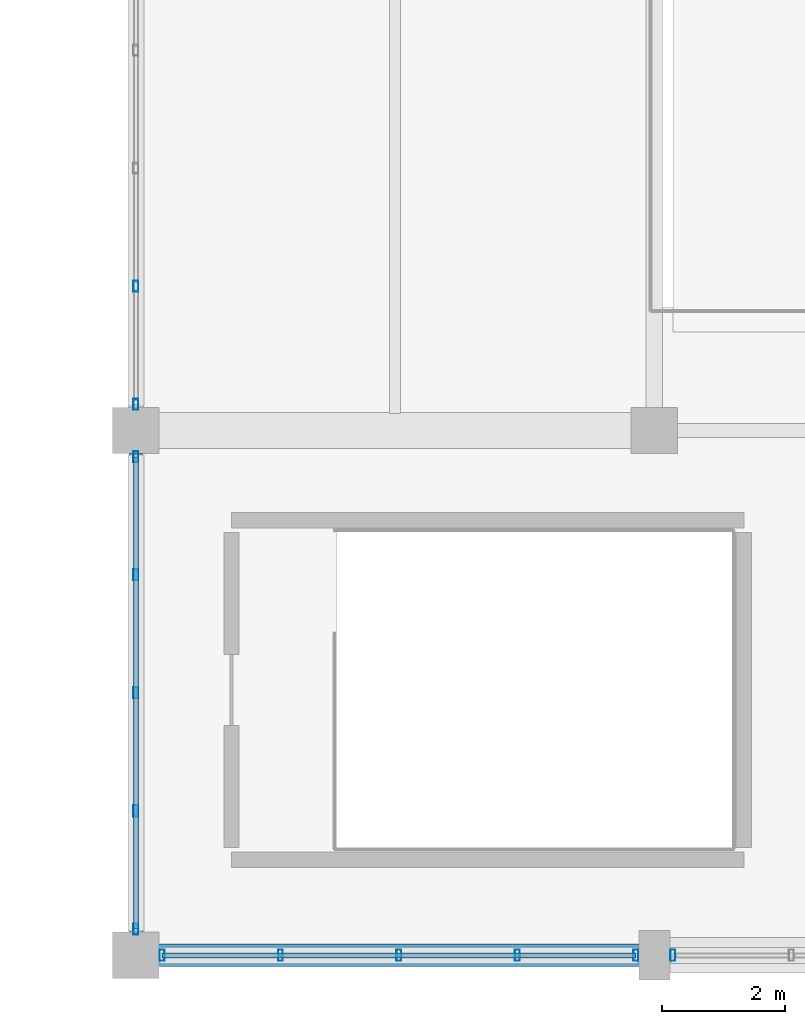
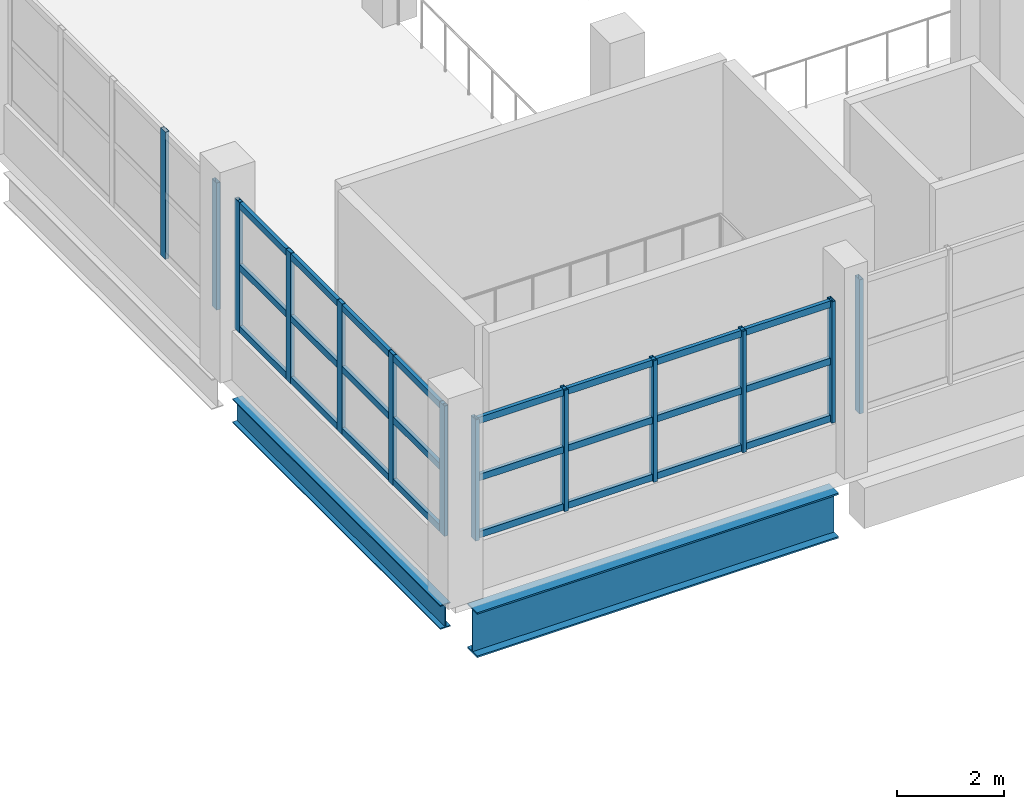
# One storey, part 26 of 77: 19 members, 2 beams, 4 elements without a shape of their own.
"""IFC4 building model written with IfcOpenShell, lengths in metres."""

from ifc_helpers import new_model, si_unit, direction, frame, origin, origin_2d, place, context, subcontext, project, spatial, hollow_rectangle, i_section, extrude, material, material_profile, profile_set, type_object, element, aggregate, save


model = new_model("IFC4")

# Units and contexts
model_context = context("Model", 3, precision=1e-05, world=origin(), true_north=direction((0.0, 1.0)))
body_context = subcontext(model_context, "Body", "Model", "MODEL_VIEW")
ifc_project = project(units=[si_unit("LENGTHUNIT", "METRE"), si_unit("AREAUNIT", "SQUARE_METRE"), si_unit("VOLUMEUNIT", "CUBIC_METRE"), si_unit("PLANEANGLEUNIT", "RADIAN"), si_unit("MASSUNIT", "GRAM", prefix="KILO")], contexts=[model_context])

# Site, building, storey
site_placement = place(None, origin())
site = spatial("IfcSite", under=ifc_project, at=site_placement, CompositionType="ELEMENT")
building_placement = place(site_placement, origin())
building = spatial("IfcBuilding", under=site, at=building_placement, Name="Solvento Point Concert Hall", CompositionType="ELEMENT")
storey_placement = place(building_placement, frame((0.0, 0.0, 10.199951171875)))
storey = spatial("IfcBuildingStorey", under=building, at=storey_placement, Name="L02", CompositionType="ELEMENT", Elevation=10.199951171875)

# Beams
ifc_material_1 = material(Name="Structural Steel ASTM A992 Grade 50", Category="steel")
ifc_material_profile_1 = material_profile(ifc_material_1, i_section(OverallWidth=0.214111328125, OverallDepth=0.549072265625, WebThickness=0.0146484375, FlangeThickness=0.023681640625, at=origin_2d()), Name="W21X93")
ifc_profile_set_1 = profile_set([ifc_material_profile_1], Name="Structural Steel ASTM A992 Grade 50")
beam_type_1 = type_object("IfcBeamType", Name="Beam_W21X93", PredefinedType="BEAM", material=ifc_profile_set_1)
beam_1_placement = place(storey_placement, frame((150.0, 0.368896484375, -0.718505859375), z_axis=(0.0, 1.0, 0.0), x_axis=(-1.0, 0.0, 0.0)))
element("IfcBeam", 1, at=beam_1_placement, inside=storey, type_object=beam_type_1, Name="Primary girder B-48 L02", PredefinedType="BEAM", context=body_context, shape_type="SweptSolid", body=[
    extrude(i_section(OverallWidth=0.214111328125, OverallDepth=0.549072265625, WebThickness=0.0146484375, FlangeThickness=0.023681640625, at=origin_2d()), origin(), (0.0, 0.0, 1.0), 7.76220703125),
])
ifc_material_2 = material(Name="Structural Steel ASTM A992 Grade 50", Category="steel")
ifc_material_profile_2 = material_profile(ifc_material_2, i_section(OverallWidth=0.361083984375, OverallDepth=1.02587890625, WebThickness=0.01904296875, FlangeThickness=0.0361328125, at=origin_2d()), Name="W40X249")
ifc_profile_set_2 = profile_set([ifc_material_profile_2], Name="Structural Steel ASTM A992 Grade 50")
beam_type_2 = type_object("IfcBeamType", Name="Girder_W40X249", PredefinedType="USERDEFINED", material=ifc_profile_set_2)
beam_2_placement = place(storey_placement, frame((150.368896484375, 0.0, -0.95703125), z_axis=(1.0, 0.0, 0.0), x_axis=(0.0, 1.0, 0.0)))
element("IfcBeam", 2, at=beam_2_placement, inside=storey, type_object=beam_type_2, Name="Primary girder B-29 L02", ObjectType="GIRDER", PredefinedType="USERDEFINED", context=body_context, shape_type="SweptSolid", body=[
    extrude(i_section(OverallWidth=0.361083984375, OverallDepth=1.02587890625, WebThickness=0.01904296875, FlangeThickness=0.0361328125, at=origin_2d()), origin(), (0.0, 0.0, 1.0), 7.787109375),
])

# Curtain wall, members
ifc_material_3 = material(Name="Anodized Bronze Aluminium", Category="aluminium")
curtain_wall_type = type_object("IfcCurtainWallType", Name="CurtainWall_ChamberCircle", PredefinedType="USERDEFINED", material=ifc_material_3)
curtain_wall_1_placement = place(storey_placement, origin())
curtain_wall_1 = element("IfcCurtainWall", 3, at=curtain_wall_1_placement, inside=storey, type_object=curtain_wall_type, Name="Unitised curtain wall CW-32 UCW-L02-155", ObjectType="UNITISED CURTAIN WALL", PredefinedType="USERDEFINED")
ifc_material_4 = material(Name="Anodized Bronze Aluminium", Category="aluminium")
ifc_material_profile_3 = material_profile(ifc_material_4, hollow_rectangle(XDim=0.080078125, YDim=0.179931640625, WallThickness=0.00390625, at=origin_2d()), Name="CW-MUL-80X180")
ifc_profile_set_3 = profile_set([ifc_material_profile_3], Name="Anodized Bronze Aluminium")
member_type_1 = type_object("IfcMemberType", Name="Mullion_80x180", PredefinedType="MULLION", material=ifc_profile_set_3)
member_1_placement = place(storey_placement, frame((150.425048828125, 0.0, 1.1201171875), z_axis=(0.0, 0.0, 1.0), x_axis=(1.0, 0.0, 0.0)))
member_1 = element("IfcMember", 4, at=member_1_placement, type_object=member_type_1, Name="Curtain wall mullion ML-01", PredefinedType="MULLION", context=body_context, shape_type="SweptSolid", body=[
    extrude(hollow_rectangle(XDim=0.080078125, YDim=0.179931640625, WallThickness=0.00390625, at=origin_2d()), origin(), (0.0, 0.0, 1.0), 2.763916015625),
])
member_2_placement = place(storey_placement, frame((152.34375, 0.0, 1.1201171875), z_axis=(0.0, 0.0, 1.0), x_axis=(1.0, 0.0, 0.0)))
member_2 = element("IfcMember", 5, at=member_2_placement, type_object=member_type_1, Name="Curtain wall mullion ML-01", PredefinedType="MULLION", context=body_context, shape_type="SweptSolid", body=[
    extrude(hollow_rectangle(XDim=0.080078125, YDim=0.179931640625, WallThickness=0.00390625, at=origin_2d()), origin(), (0.0, 0.0, 1.0), 2.763916015625),
])
member_3_placement = place(storey_placement, frame((154.262451171875, 0.0, 1.1201171875), z_axis=(0.0, 0.0, 1.0), x_axis=(1.0, 0.0, 0.0)))
member_3 = element("IfcMember", 6, at=member_3_placement, type_object=member_type_1, Name="Curtain wall mullion ML-01", PredefinedType="MULLION", context=body_context, shape_type="SweptSolid", body=[
    extrude(hollow_rectangle(XDim=0.080078125, YDim=0.179931640625, WallThickness=0.00390625, at=origin_2d()), origin(), (0.0, 0.0, 1.0), 2.763916015625),
])
member_4_placement = place(storey_placement, frame((156.181396484375, 0.0, 1.1201171875), z_axis=(0.0, 0.0, 1.0), x_axis=(1.0, 0.0, 0.0)))
member_4 = element("IfcMember", 7, at=member_4_placement, type_object=member_type_1, Name="Curtain wall mullion ML-01", PredefinedType="MULLION", context=body_context, shape_type="SweptSolid", body=[
    extrude(hollow_rectangle(XDim=0.080078125, YDim=0.179931640625, WallThickness=0.00390625, at=origin_2d()), origin(), (0.0, 0.0, 1.0), 2.763916015625),
])
member_5_placement = place(storey_placement, frame((158.10009765625, 0.0, 1.1201171875), z_axis=(0.0, 0.0, 1.0), x_axis=(1.0, 0.0, 0.0)))
member_5 = element("IfcMember", 8, at=member_5_placement, type_object=member_type_1, Name="Curtain wall mullion ML-01", PredefinedType="MULLION", context=body_context, shape_type="SweptSolid", body=[
    extrude(hollow_rectangle(XDim=0.080078125, YDim=0.179931640625, WallThickness=0.00390625, at=origin_2d()), origin(), (0.0, 0.0, 1.0), 2.763916015625),
])

# Curtain wall, member
curtain_wall_2_placement = place(storey_placement, origin())
curtain_wall_2 = element("IfcCurtainWall", 9, at=curtain_wall_2_placement, inside=storey, type_object=curtain_wall_type, Name="Unitised curtain wall CW-32 UCW-L02-156", ObjectType="UNITISED CURTAIN WALL", PredefinedType="USERDEFINED")
member_6_placement = place(storey_placement, frame((158.699951171875, 0.0, 1.1201171875), z_axis=(0.0, 0.0, 1.0), x_axis=(1.0, 0.0, 0.0)))
member_6 = element("IfcMember", 10, at=member_6_placement, type_object=member_type_1, Name="Curtain wall mullion ML-01", PredefinedType="MULLION", context=body_context, shape_type="SweptSolid", body=[
    extrude(hollow_rectangle(XDim=0.080078125, YDim=0.179931640625, WallThickness=0.00390625, at=origin_2d()), origin(), (0.0, 0.0, 1.0), 3.055908203125),
])
aggregate(curtain_wall_2, [member_6])

# Curtain wall, members
curtain_wall_3_placement = place(storey_placement, origin())
curtain_wall_3 = element("IfcCurtainWall", 11, at=curtain_wall_3_placement, inside=storey, type_object=curtain_wall_type, Name="Unitised curtain wall CW-32 UCW-L02-162", ObjectType="UNITISED CURTAIN WALL", PredefinedType="USERDEFINED")
member_7_placement = place(storey_placement, frame((150.0, 0.425048828125, 1.1201171875), z_axis=(0.0, 0.0, 1.0), x_axis=(1.0, 0.0, 0.0)))
member_7 = element("IfcMember", 12, at=member_7_placement, type_object=member_type_1, Name="Curtain wall mullion ML-01", PredefinedType="MULLION", context=body_context, shape_type="SweptSolid", body=[
    extrude(hollow_rectangle(XDim=0.080078125, YDim=0.179931640625, WallThickness=0.00390625, at=origin_2d()), origin(), (0.0, 0.0, 1.0), 2.970947265625),
])
member_8_placement = place(storey_placement, frame((150.0, 2.33740234375, 1.1201171875), z_axis=(0.0, 0.0, 1.0), x_axis=(1.0, 0.0, 0.0)))
member_8 = element("IfcMember", 13, at=member_8_placement, type_object=member_type_1, Name="Curtain wall mullion ML-01", PredefinedType="MULLION", context=body_context, shape_type="SweptSolid", body=[
    extrude(hollow_rectangle(XDim=0.080078125, YDim=0.179931640625, WallThickness=0.00390625, at=origin_2d()), origin(), (0.0, 0.0, 1.0), 2.970947265625),
])
member_9_placement = place(storey_placement, frame((150.0, 4.25, 1.1201171875), z_axis=(0.0, 0.0, 1.0), x_axis=(1.0, 0.0, 0.0)))
member_9 = element("IfcMember", 14, at=member_9_placement, type_object=member_type_1, Name="Curtain wall mullion ML-01", PredefinedType="MULLION", context=body_context, shape_type="SweptSolid", body=[
    extrude(hollow_rectangle(XDim=0.080078125, YDim=0.179931640625, WallThickness=0.00390625, at=origin_2d()), origin(), (0.0, 0.0, 1.0), 2.970947265625),
])
member_10_placement = place(storey_placement, frame((150.0, 6.16259765625, 1.1201171875), z_axis=(0.0, 0.0, 1.0), x_axis=(1.0, 0.0, 0.0)))
member_10 = element("IfcMember", 15, at=member_10_placement, type_object=member_type_1, Name="Curtain wall mullion ML-01", PredefinedType="MULLION", context=body_context, shape_type="SweptSolid", body=[
    extrude(hollow_rectangle(XDim=0.080078125, YDim=0.179931640625, WallThickness=0.00390625, at=origin_2d()), origin(), (0.0, 0.0, 1.0), 2.970947265625),
])
member_11_placement = place(storey_placement, frame((150.0, 8.074951171875, 1.1201171875), z_axis=(0.0, 0.0, 1.0), x_axis=(1.0, 0.0, 0.0)))
member_11 = element("IfcMember", 16, at=member_11_placement, type_object=member_type_1, Name="Curtain wall mullion ML-01", PredefinedType="MULLION", context=body_context, shape_type="SweptSolid", body=[
    extrude(hollow_rectangle(XDim=0.080078125, YDim=0.179931640625, WallThickness=0.00390625, at=origin_2d()), origin(), (0.0, 0.0, 1.0), 2.970947265625),
])

curtain_wall_4_placement = place(storey_placement, origin())
curtain_wall_4 = element("IfcCurtainWall", 17, at=curtain_wall_4_placement, inside=storey, type_object=curtain_wall_type, Name="Unitised curtain wall CW-32 UCW-L02-163", ObjectType="UNITISED CURTAIN WALL", PredefinedType="USERDEFINED")
member_12_placement = place(storey_placement, frame((150.0, 8.925048828125, 1.1201171875), z_axis=(0.0, 0.0, 1.0), x_axis=(1.0, 0.0, 0.0)))
member_12 = element("IfcMember", 18, at=member_12_placement, type_object=member_type_1, Name="Curtain wall mullion ML-01", PredefinedType="MULLION", context=body_context, shape_type="SweptSolid", body=[
    extrude(hollow_rectangle(XDim=0.080078125, YDim=0.179931640625, WallThickness=0.00390625, at=origin_2d()), origin(), (0.0, 0.0, 1.0), 2.89404296875),
])
member_13_placement = place(storey_placement, frame((150.0, 10.83740234375, 1.1201171875), z_axis=(0.0, 0.0, 1.0), x_axis=(1.0, 0.0, 0.0)))
member_13 = element("IfcMember", 19, at=member_13_placement, type_object=member_type_1, Name="Curtain wall mullion ML-01", PredefinedType="MULLION", context=body_context, shape_type="SweptSolid", body=[
    extrude(hollow_rectangle(XDim=0.080078125, YDim=0.179931640625, WallThickness=0.00390625, at=origin_2d()), origin(), (0.0, 0.0, 1.0), 2.89404296875),
])
aggregate(curtain_wall_4, [member_12, member_13])

# Member
ifc_material_5 = material(Name="Anodized Bronze Aluminium", Category="aluminium")
ifc_material_profile_4 = material_profile(ifc_material_5, hollow_rectangle(XDim=0.080078125, YDim=0.14990234375, WallThickness=0.00390625, at=origin_2d()), Name="CW-TRN-80X150")
ifc_profile_set_4 = profile_set([ifc_material_profile_4], Name="Anodized Bronze Aluminium")
member_type_2 = type_object("IfcMemberType", Name="Transom_80x150", PredefinedType="USERDEFINED", material=ifc_profile_set_4)
member_14_placement = place(storey_placement, frame((150.425048828125, 0.0, 1.199951171875), z_axis=(1.0, 0.0, 0.0), x_axis=(0.0, 1.0, 0.0)))
member_14 = element("IfcMember", 20, at=member_14_placement, type_object=member_type_2, Name="Curtain wall transom TR-01", ObjectType="TRANSOM", PredefinedType="USERDEFINED", context=body_context, shape_type="SweptSolid", body=[
    extrude(hollow_rectangle(XDim=0.080078125, YDim=0.14990234375, WallThickness=0.00390625, at=origin_2d()), origin(), (0.0, 0.0, 1.0), 7.675048828125),
])

member_15_placement = place(storey_placement, frame((150.425048828125, 0.0, 2.501953125), z_axis=(1.0, 0.0, 0.0), x_axis=(0.0, 1.0, 0.0)))
member_15 = element("IfcMember", 21, at=member_15_placement, type_object=member_type_2, Name="Curtain wall transom TR-01", ObjectType="TRANSOM", PredefinedType="USERDEFINED", context=body_context, shape_type="SweptSolid", body=[
    extrude(hollow_rectangle(XDim=0.080078125, YDim=0.14990234375, WallThickness=0.00390625, at=origin_2d()), origin(), (0.0, 0.0, 1.0), 7.675048828125),
])

member_16_placement = place(storey_placement, frame((150.425048828125, 0.0, 3.803955078125), z_axis=(1.0, 0.0, 0.0), x_axis=(0.0, 1.0, 0.0)))
member_16 = element("IfcMember", 22, at=member_16_placement, type_object=member_type_2, Name="Curtain wall transom TR-01", ObjectType="TRANSOM", PredefinedType="USERDEFINED", context=body_context, shape_type="SweptSolid", body=[
    extrude(hollow_rectangle(XDim=0.080078125, YDim=0.14990234375, WallThickness=0.00390625, at=origin_2d()), origin(), (0.0, 0.0, 1.0), 7.675048828125),
])

aggregate(curtain_wall_1, [member_1, member_2, member_3, member_4, member_5, member_14, member_15, member_16])

member_17_placement = place(storey_placement, frame((150.0, 0.425048828125, 1.199951171875), z_axis=(0.0, 1.0, 0.0), x_axis=(-1.0, 0.0, 0.0)))
member_17 = element("IfcMember", 23, at=member_17_placement, type_object=member_type_2, Name="Curtain wall transom TR-01", ObjectType="TRANSOM", PredefinedType="USERDEFINED", context=body_context, shape_type="SweptSolid", body=[
    extrude(hollow_rectangle(XDim=0.080078125, YDim=0.14990234375, WallThickness=0.00390625, at=origin_2d()), origin(), (0.0, 0.0, 1.0), 7.64990234375),
])

member_18_placement = place(storey_placement, frame((150.0, 0.425048828125, 2.60546875), z_axis=(0.0, 1.0, 0.0), x_axis=(-1.0, 0.0, 0.0)))
member_18 = element("IfcMember", 24, at=member_18_placement, type_object=member_type_2, Name="Curtain wall transom TR-01", ObjectType="TRANSOM", PredefinedType="USERDEFINED", context=body_context, shape_type="SweptSolid", body=[
    extrude(hollow_rectangle(XDim=0.080078125, YDim=0.14990234375, WallThickness=0.00390625, at=origin_2d()), origin(), (0.0, 0.0, 1.0), 7.64990234375),
])

member_19_placement = place(storey_placement, frame((150.0, 0.425048828125, 4.010986328125), z_axis=(0.0, 1.0, 0.0), x_axis=(-1.0, 0.0, 0.0)))
member_19 = element("IfcMember", 25, at=member_19_placement, type_object=member_type_2, Name="Curtain wall transom TR-01", ObjectType="TRANSOM", PredefinedType="USERDEFINED", context=body_context, shape_type="SweptSolid", body=[
    extrude(hollow_rectangle(XDim=0.080078125, YDim=0.14990234375, WallThickness=0.00390625, at=origin_2d()), origin(), (0.0, 0.0, 1.0), 7.64990234375),
])

aggregate(curtain_wall_3, [member_7, member_8, member_9, member_10, member_11, member_17, member_18, member_19])

save(model, "model.ifc")
